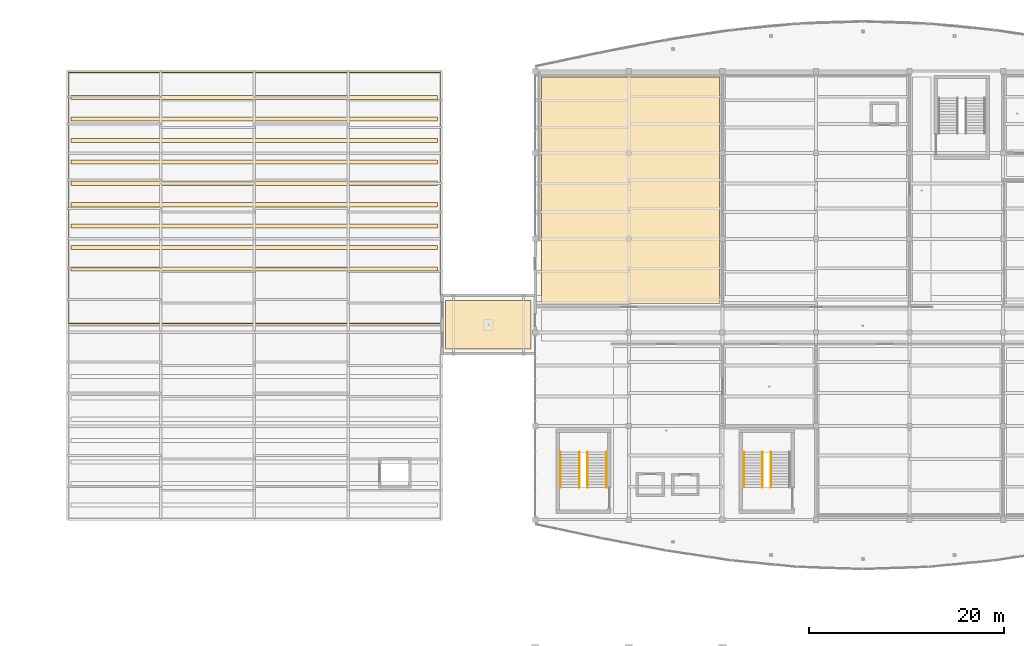
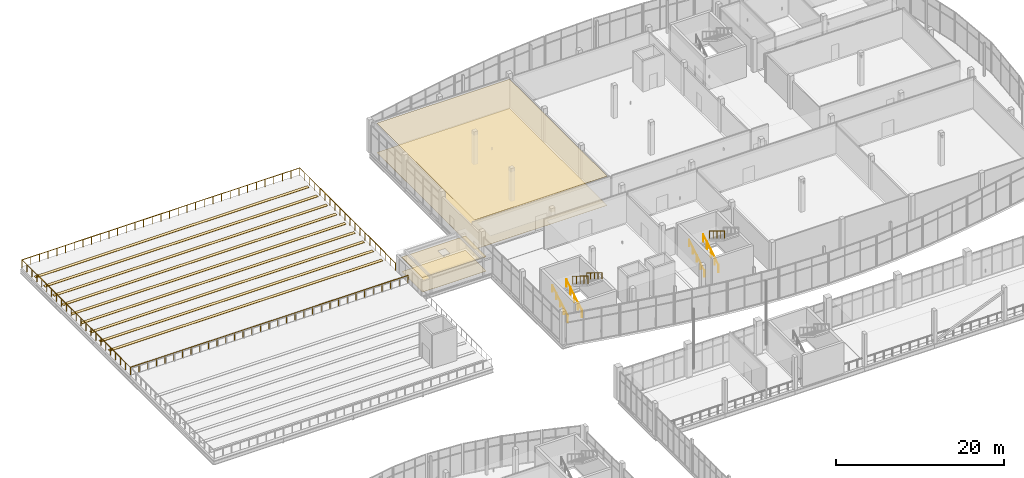
# One storey, part 154 of 157: 13 coverings, 8 railings, 2 elements without a shape of their own.
"""IFC4 building model written with IfcOpenShell, lengths in metres."""

from ifc_helpers import new_model, si_unit, direction, frame, origin, origin_2d, place, context, subcontext, project, spatial, polyline, circle, outline, extrude, material, layer, layer_set, type_object, element, aggregate, save


model = new_model("IFC4")

# Units and contexts
model_context = context("Model", 3, precision=1e-05, world=origin(), true_north=direction((0.0, 1.0)))
body_context = subcontext(model_context, "Body", "Model", "MODEL_VIEW")
ifc_project = project(units=[si_unit("LENGTHUNIT", "METRE"), si_unit("AREAUNIT", "SQUARE_METRE"), si_unit("VOLUMEUNIT", "CUBIC_METRE"), si_unit("PLANEANGLEUNIT", "RADIAN"), si_unit("MASSUNIT", "GRAM", prefix="KILO")], contexts=[model_context])

# Site, building, storey
site_placement = place(None, origin())
site = spatial("IfcSite", under=ifc_project, at=site_placement, CompositionType="ELEMENT")
building_placement = place(site_placement, origin())
building = spatial("IfcBuilding", under=site, at=building_placement, Name="Chalmorin Arch Market", CompositionType="ELEMENT")
storey_placement = place(building_placement, frame((0.0, 0.0, 4.800048828125)))
storey = spatial("IfcBuildingStorey", under=building, at=storey_placement, Name="L01", CompositionType="ELEMENT", Elevation=4.800048828125)

# Coverings
ifc_material_1 = material(Name="Mineral Fibre Acoustic Tile")
ifc_layer_1 = layer(ifc_material_1, 0.044921875)
ifc_layer_set_1 = layer_set([ifc_layer_1], Name="Mineral Fibre Acoustic Tile")
covering_type_1 = type_object("IfcCoveringType", Name="AcousticBaffleCeiling-45", PredefinedType="CEILING", material=ifc_layer_set_1)
covering_1_placement = place(storey_placement, frame((0.0, 0.0, 2.0849609375)))
element("IfcCovering", 1, at=covering_1_placement, inside=storey, type_object=covering_type_1, Name="CLG-01-182", PredefinedType="CEILING", context=body_context, shape_type="SweptSolid", body=[
    extrude(outline(polyline([(38.820068359375, 89.52001953125), (47.580078125, 89.52001953125), (47.580078125, 94.47998046875), (38.820068359375, 94.47998046875), (38.820068359375, 89.52001953125)])), origin(), (0.0, 0.0, 1.0), 0.044921875),
])
ifc_material_2 = material(Name="Epoxy Resin Flooring")
ifc_layer_2 = layer(ifc_material_2, 0.02001953125)
ifc_layer_set_2 = layer_set([ifc_layer_2], Name="Epoxy Resin Flooring")
covering_type_2 = type_object("IfcCoveringType", Name="EpoxySlipResistantKitchenFloor-20", PredefinedType="FLOORING", material=ifc_layer_set_2)
covering_2_placement = place(storey_placement, origin())
element("IfcCovering", 2, at=covering_2_placement, inside=storey, type_object=covering_type_2, Name="FLR-02-185", PredefinedType="FLOORING", context=body_context, shape_type="SweptSolid", body=[
    extrude(outline(polyline([(48.6201171875, 94.1201171875), (66.8798828125, 94.1201171875), (66.8798828125, 117.3798828125), (48.6201171875, 117.3798828125), (48.6201171875, 94.1201171875)])), origin(), (0.0, 0.0, 1.0), 0.02001953125),
])
ifc_material_3 = material(Name="Powder-coated Aluminium Panel", Category="aluminium")
ifc_layer_3 = layer(ifc_material_3, 0.034912109375)
ifc_layer_set_3 = layer_set([ifc_layer_3], Name="Powder-coated Aluminium Panel")
covering_type_3 = type_object("IfcCoveringType", Name="HygienicWashableKitchenCeiling-35", PredefinedType="CEILING", material=ifc_layer_set_3)
covering_3_placement = place(storey_placement, frame((0.0, 0.0, 4.244873046875)))
element("IfcCovering", 3, at=covering_3_placement, inside=storey, type_object=covering_type_3, Name="CLG-02-186", PredefinedType="CEILING", context=body_context, shape_type="SweptSolid", body=[
    extrude(outline(polyline([(48.6201171875, 94.1201171875), (66.8798828125, 94.1201171875), (66.8798828125, 117.3798828125), (48.6201171875, 117.3798828125), (48.6201171875, 94.1201171875)])), origin(), (0.0, 0.0, 1.0), 0.03515625),
])

# Stair, railings
ifc_material_4 = material(Name="Concrete C40/50", Category="concrete")
stair_type_1 = type_object("IfcStairType", Name="DoglegExitStair-28R-SC5", PredefinedType="HALF_TURN_STAIR", material=ifc_material_4)
stair_1_placement = place(storey_placement, origin())
stair_1 = element("IfcStair", 4, at=stair_1_placement, inside=storey, type_object=stair_type_1, Name="ST-13", PredefinedType="HALF_TURN_STAIR")
ifc_material_5 = material(Name="Stainless Steel 316", Category="steel")
ifc_layer_4 = layer(ifc_material_5, 0.048095703125)
ifc_layer_set_4 = layer_set([ifc_layer_4], Name="Stainless Steel 316")
railing_type_1 = type_object("IfcRailingType", Name="StairTubeHandrail-920", PredefinedType="HANDRAIL", material=ifc_layer_set_4)
railing_1_placement = place(storey_placement, frame((50.60009765625, 75.31005859375, 0.17138671875)))
railing_1 = element("IfcRailing", 5, at=railing_1_placement, type_object=railing_type_1, Name="HR-01-054", PredefinedType="HANDRAIL", context=body_context, shape_type="SweptSolid", body=[
    extrude(circle(Radius=0.02392578125, at=origin_2d()), frame((0.0, 0.0, 0.89599609375), z_axis=(0.0, 0.852850264322, 0.5221555579), x_axis=(-1.0, 0.0, 0.0)), (0.0, 0.0, 1.0), 4.267822265625),
    extrude(circle(Radius=0.02099609375, at=origin_2d()), origin(), (0.0, 0.0, 1.0), 0.871826171875),
    extrude(circle(Radius=0.02099609375, at=origin_2d()), frame((0.0, 0.909912109375, 0.55712890625)), (0.0, 0.0, 1.0), 0.871826171875),
    extrude(circle(Radius=0.02099609375, at=origin_2d()), frame((0.0, 1.81982421875, 1.1142578125)), (0.0, 0.0, 1.0), 0.871826171875),
    extrude(circle(Radius=0.02099609375, at=origin_2d()), frame((0.0, 2.72998046875, 1.67138671875)), (0.0, 0.0, 1.0), 0.871826171875),
    extrude(circle(Radius=0.02099609375, at=origin_2d()), frame((0.0, 3.639892578125, 2.228515625)), (0.0, 0.0, 1.0), 0.871826171875),
])
railing_2_placement = place(storey_placement, frame((55.300048828125, 78.949951171875, 2.5712890625)))
railing_2 = element("IfcRailing", 6, at=railing_2_placement, type_object=railing_type_1, Name="HR-01-057", PredefinedType="HANDRAIL", context=body_context, shape_type="SweptSolid", body=[
    extrude(circle(Radius=0.02392578125, at=origin_2d()), frame((0.0, 0.0, 0.89599609375), z_axis=(0.0, -0.852824790078, 0.522197163366), x_axis=(1.0, 0.0, 0.0)), (0.0, 0.0, 1.0), 4.26806640625),
    extrude(circle(Radius=0.02099609375, at=origin_2d()), origin(), (0.0, 0.0, 1.0), 0.871826171875),
    extrude(circle(Radius=0.02099609375, at=origin_2d()), frame((0.0, -0.909912109375, 0.55712890625)), (0.0, 0.0, 1.0), 0.871826171875),
    extrude(circle(Radius=0.02099609375, at=origin_2d()), frame((0.0, -1.81982421875, 1.1142578125)), (0.0, 0.0, 1.0), 0.871826171875),
    extrude(circle(Radius=0.02099609375, at=origin_2d()), frame((0.0, -2.72998046875, 1.671630859375)), (0.0, 0.0, 1.0), 0.871826171875),
    extrude(circle(Radius=0.02099609375, at=origin_2d()), frame((0.0, -3.639892578125, 2.228759765625)), (0.0, 0.0, 1.0), 0.871826171875),
])

# Stair, railing
stair_type_2 = type_object("IfcStairType", Name="DoglegExitStair-28R-SC7", PredefinedType="HALF_TURN_STAIR", material=ifc_material_4)
stair_2_placement = place(storey_placement, origin())
stair_2 = element("IfcStair", 7, at=stair_2_placement, inside=storey, type_object=stair_type_2, Name="ST-21", PredefinedType="HALF_TURN_STAIR")
railing_3_placement = place(storey_placement, frame((69.39990234375, 75.31005859375, 0.17138671875)))
railing_3 = element("IfcRailing", 8, at=railing_3_placement, type_object=railing_type_1, Name="HR-01-088", PredefinedType="HANDRAIL", context=body_context, shape_type="SweptSolid", body=[
    extrude(circle(Radius=0.02392578125, at=origin_2d()), frame((0.0, 0.0, 0.89599609375), z_axis=(0.0, 0.852850264322, 0.5221555579), x_axis=(-1.0, 0.0, 0.0)), (0.0, 0.0, 1.0), 4.267822265625),
    extrude(circle(Radius=0.02099609375, at=origin_2d()), origin(), (0.0, 0.0, 1.0), 0.871826171875),
    extrude(circle(Radius=0.02099609375, at=origin_2d()), frame((0.0, 0.909912109375, 0.55712890625)), (0.0, 0.0, 1.0), 0.871826171875),
    extrude(circle(Radius=0.02099609375, at=origin_2d()), frame((0.0, 1.81982421875, 1.1142578125)), (0.0, 0.0, 1.0), 0.871826171875),
    extrude(circle(Radius=0.02099609375, at=origin_2d()), frame((0.0, 2.72998046875, 1.67138671875)), (0.0, 0.0, 1.0), 0.871826171875),
    extrude(circle(Radius=0.02099609375, at=origin_2d()), frame((0.0, 3.639892578125, 2.228515625)), (0.0, 0.0, 1.0), 0.871826171875),
])

# Railing
ifc_material_6 = material(Name="Galvanised Steel", Category="steel")
ifc_layer_5 = layer(ifc_material_6, 0.054931640625)
ifc_layer_set_5 = layer_set([ifc_layer_5], Name="Galvanised Steel")
railing_type_2 = type_object("IfcRailingType", Name="StairWellGuardrail-1100", PredefinedType="GUARDRAIL", material=ifc_layer_set_5)
railing_4_placement = place(storey_placement, frame((52.530029296875, 75.31005859375, 0.17138671875)))
railing_4 = element("IfcRailing", 9, at=railing_4_placement, type_object=railing_type_2, Name="SG-01-055", PredefinedType="GUARDRAIL", context=body_context, shape_type="SweptSolid", body=[
    extrude(circle(Radius=0.02392578125, at=origin_2d()), frame((0.0, 0.0, 1.076171875), z_axis=(0.0, 0.852850264322, 0.5221555579), x_axis=(-1.0, 0.0, 0.0)), (0.0, 0.0, 1.0), 4.267822265625),
    extrude(circle(Radius=0.02099609375, at=origin_2d()), origin(), (0.0, 0.0, 1.0), 1.052001953125),
    extrude(circle(Radius=0.02099609375, at=origin_2d()), frame((0.0, 0.909912109375, 0.55712890625)), (0.0, 0.0, 1.0), 1.052001953125),
    extrude(circle(Radius=0.02099609375, at=origin_2d()), frame((0.0, 1.81982421875, 1.1142578125)), (0.0, 0.0, 1.0), 1.052001953125),
    extrude(circle(Radius=0.02099609375, at=origin_2d()), frame((0.0, 2.72998046875, 1.67138671875)), (0.0, 0.0, 1.0), 1.052001953125),
    extrude(circle(Radius=0.02099609375, at=origin_2d()), frame((0.0, 3.639892578125, 2.228515625)), (0.0, 0.0, 1.0), 1.052001953125),
])

railing_5_placement = place(storey_placement, frame((53.3701171875, 78.949951171875, 2.5712890625)))
railing_5 = element("IfcRailing", 10, at=railing_5_placement, type_object=railing_type_2, Name="SG-01-056", PredefinedType="GUARDRAIL", context=body_context, shape_type="SweptSolid", body=[
    extrude(circle(Radius=0.02392578125, at=origin_2d()), frame((0.0, 0.0, 1.076171875), z_axis=(0.0, -0.852824790078, 0.522197163366), x_axis=(1.0, 0.0, 0.0)), (0.0, 0.0, 1.0), 4.26806640625),
    extrude(circle(Radius=0.02099609375, at=origin_2d()), origin(), (0.0, 0.0, 1.0), 1.052001953125),
    extrude(circle(Radius=0.02099609375, at=origin_2d()), frame((0.0, -0.909912109375, 0.55712890625)), (0.0, 0.0, 1.0), 1.052001953125),
    extrude(circle(Radius=0.02099609375, at=origin_2d()), frame((0.0, -1.81982421875, 1.1142578125)), (0.0, 0.0, 1.0), 1.052001953125),
    extrude(circle(Radius=0.02099609375, at=origin_2d()), frame((0.0, -2.72998046875, 1.671630859375)), (0.0, 0.0, 1.0), 1.052001953125),
    extrude(circle(Radius=0.02099609375, at=origin_2d()), frame((0.0, -3.639892578125, 2.228759765625)), (0.0, 0.0, 1.0), 1.052001953125),
])

aggregate(stair_1, [railing_1, railing_4, railing_5, railing_2])

railing_6_placement = place(storey_placement, frame((71.330078125, 75.31005859375, 0.17138671875)))
railing_6 = element("IfcRailing", 11, at=railing_6_placement, type_object=railing_type_2, Name="SG-01-089", PredefinedType="GUARDRAIL", context=body_context, shape_type="SweptSolid", body=[
    extrude(circle(Radius=0.02392578125, at=origin_2d()), frame((0.0, 0.0, 1.076171875), z_axis=(0.0, 0.852850264322, 0.5221555579), x_axis=(-1.0, 0.0, 0.0)), (0.0, 0.0, 1.0), 4.267822265625),
    extrude(circle(Radius=0.02099609375, at=origin_2d()), origin(), (0.0, 0.0, 1.0), 1.052001953125),
    extrude(circle(Radius=0.02099609375, at=origin_2d()), frame((0.0, 0.909912109375, 0.55712890625)), (0.0, 0.0, 1.0), 1.052001953125),
    extrude(circle(Radius=0.02099609375, at=origin_2d()), frame((0.0, 1.81982421875, 1.1142578125)), (0.0, 0.0, 1.0), 1.052001953125),
    extrude(circle(Radius=0.02099609375, at=origin_2d()), frame((0.0, 2.72998046875, 1.67138671875)), (0.0, 0.0, 1.0), 1.052001953125),
    extrude(circle(Radius=0.02099609375, at=origin_2d()), frame((0.0, 3.639892578125, 2.228515625)), (0.0, 0.0, 1.0), 1.052001953125),
])

railing_7_placement = place(storey_placement, frame((72.169921875, 78.949951171875, 2.5712890625)))
railing_7 = element("IfcRailing", 12, at=railing_7_placement, type_object=railing_type_2, Name="SG-01-090", PredefinedType="GUARDRAIL", context=body_context, shape_type="SweptSolid", body=[
    extrude(circle(Radius=0.02392578125, at=origin_2d()), frame((0.0, 0.0, 1.076171875), z_axis=(0.0, -0.852824790078, 0.522197163366), x_axis=(1.0, 0.0, 0.0)), (0.0, 0.0, 1.0), 4.26806640625),
    extrude(circle(Radius=0.02099609375, at=origin_2d()), origin(), (0.0, 0.0, 1.0), 1.052001953125),
    extrude(circle(Radius=0.02099609375, at=origin_2d()), frame((0.0, -0.909912109375, 0.55712890625)), (0.0, 0.0, 1.0), 1.052001953125),
    extrude(circle(Radius=0.02099609375, at=origin_2d()), frame((0.0, -1.81982421875, 1.1142578125)), (0.0, 0.0, 1.0), 1.052001953125),
    extrude(circle(Radius=0.02099609375, at=origin_2d()), frame((0.0, -2.72998046875, 1.671630859375)), (0.0, 0.0, 1.0), 1.052001953125),
    extrude(circle(Radius=0.02099609375, at=origin_2d()), frame((0.0, -3.639892578125, 2.228759765625)), (0.0, 0.0, 1.0), 1.052001953125),
])

aggregate(stair_2, [railing_3, railing_6, railing_7])

ifc_layer_6 = layer(ifc_material_6, 0.06005859375)
ifc_layer_set_6 = layer_set([ifc_layer_6], Name="Galvanised Steel")
railing_type_3 = type_object("IfcRailingType", Name="TerraceMeshGuardrail-1100", PredefinedType="GUARDRAIL", material=ifc_layer_set_6)
railing_8_placement = place(storey_placement, frame((38.300048828125, 92.10009765625, 0.0)))
element("IfcRailing", 13, at=railing_8_placement, inside=storey, type_object=railing_type_3, Name="GR-012", PredefinedType="GUARDRAIL", context=body_context, shape_type="SweptSolid", body=[
    extrude(circle(Radius=0.02392578125, at=origin_2d()), frame((0.0, 0.0, 1.076171875), z_axis=(-1.0, 0.0, 0.0), x_axis=(0.0, -1.0, 0.0)), (0.0, 0.0, 1.0), 38.179931640625),
    extrude(circle(Radius=0.02392578125, at=origin_2d()), frame((-38.179931640625, 0.0, 1.076171875), z_axis=(0.0, 1.0, 0.0), x_axis=(-1.0, 0.0, 0.0)), (0.0, 0.0, 1.0), 25.77978515625),
    extrude(circle(Radius=0.02392578125, at=origin_2d()), frame((-38.179931640625, 25.77978515625, 1.076171875), z_axis=(1.0, 0.0, 0.0), x_axis=(0.0, 1.0, 0.0)), (0.0, 0.0, 1.0), 38.179931640625),
    extrude(circle(Radius=0.02392578125, at=origin_2d()), frame((0.0, 25.77978515625, 1.076171875), z_axis=(0.0, -1.0, 0.0), x_axis=(1.0, 0.0, 0.0)), (0.0, 0.0, 1.0), 22.77978515625),
    extrude(circle(Radius=0.02099609375, at=origin_2d()), origin(), (0.0, 0.0, 1.0), 1.052001953125),
    extrude(circle(Radius=0.02099609375, at=origin_2d()), frame((-1.193115234375, 0.0, 0.0)), (0.0, 0.0, 1.0), 1.052001953125),
    extrude(circle(Radius=0.02099609375, at=origin_2d()), frame((-2.38623046875, 0.0, 0.0)), (0.0, 0.0, 1.0), 1.052001953125),
    extrude(circle(Radius=0.02099609375, at=origin_2d()), frame((-3.579345703125, 0.0, 0.0)), (0.0, 0.0, 1.0), 1.052001953125),
    extrude(circle(Radius=0.02099609375, at=origin_2d()), frame((-4.7724609375, 0.0, 0.0)), (0.0, 0.0, 1.0), 1.052001953125),
    extrude(circle(Radius=0.02099609375, at=origin_2d()), frame((-5.965576171875, 0.0, 0.0)), (0.0, 0.0, 1.0), 1.052001953125),
    extrude(circle(Radius=0.02099609375, at=origin_2d()), frame((-7.15869140625, 0.0, 0.0)), (0.0, 0.0, 1.0), 1.052001953125),
    extrude(circle(Radius=0.02099609375, at=origin_2d()), frame((-8.351806640625, 0.0, 0.0)), (0.0, 0.0, 1.0), 1.052001953125),
    extrude(circle(Radius=0.02099609375, at=origin_2d()), frame((-9.544921875, 0.0, 0.0)), (0.0, 0.0, 1.0), 1.052001953125),
    extrude(circle(Radius=0.02099609375, at=origin_2d()), frame((-10.738037109375, 0.0, 0.0)), (0.0, 0.0, 1.0), 1.052001953125),
    extrude(circle(Radius=0.02099609375, at=origin_2d()), frame((-11.93115234375, 0.0, 0.0)), (0.0, 0.0, 1.0), 1.052001953125),
    extrude(circle(Radius=0.02099609375, at=origin_2d()), frame((-13.124267578125, 0.0, 0.0)), (0.0, 0.0, 1.0), 1.052001953125),
    extrude(circle(Radius=0.02099609375, at=origin_2d()), frame((-14.3173828125, 0.0, 0.0)), (0.0, 0.0, 1.0), 1.052001953125),
    extrude(circle(Radius=0.02099609375, at=origin_2d()), frame((-15.510498046875, 0.0, 0.0)), (0.0, 0.0, 1.0), 1.052001953125),
    extrude(circle(Radius=0.02099609375, at=origin_2d()), frame((-16.70361328125, 0.0, 0.0)), (0.0, 0.0, 1.0), 1.052001953125),
    extrude(circle(Radius=0.02099609375, at=origin_2d()), frame((-17.896728515625, 0.0, 0.0)), (0.0, 0.0, 1.0), 1.052001953125),
    extrude(circle(Radius=0.02099609375, at=origin_2d()), frame((-19.08984375, 0.0, 0.0)), (0.0, 0.0, 1.0), 1.052001953125),
    extrude(circle(Radius=0.02099609375, at=origin_2d()), frame((-20.283203125, 0.0, 0.0)), (0.0, 0.0, 1.0), 1.052001953125),
    extrude(circle(Radius=0.02099609375, at=origin_2d()), frame((-21.476318359375, 0.0, 0.0)), (0.0, 0.0, 1.0), 1.052001953125),
    extrude(circle(Radius=0.02099609375, at=origin_2d()), frame((-22.66943359375, 0.0, 0.0)), (0.0, 0.0, 1.0), 1.052001953125),
    extrude(circle(Radius=0.02099609375, at=origin_2d()), frame((-23.862548828125, 0.0, 0.0)), (0.0, 0.0, 1.0), 1.052001953125),
    extrude(circle(Radius=0.02099609375, at=origin_2d()), frame((-25.0556640625, 0.0, 0.0)), (0.0, 0.0, 1.0), 1.052001953125),
    extrude(circle(Radius=0.02099609375, at=origin_2d()), frame((-26.248779296875, 0.0, 0.0)), (0.0, 0.0, 1.0), 1.052001953125),
    extrude(circle(Radius=0.02099609375, at=origin_2d()), frame((-27.44189453125, 0.0, 0.0)), (0.0, 0.0, 1.0), 1.052001953125),
    extrude(circle(Radius=0.02099609375, at=origin_2d()), frame((-28.635009765625, 0.0, 0.0)), (0.0, 0.0, 1.0), 1.052001953125),
    extrude(circle(Radius=0.02099609375, at=origin_2d()), frame((-29.828125, 0.0, 0.0)), (0.0, 0.0, 1.0), 1.052001953125),
    extrude(circle(Radius=0.02099609375, at=origin_2d()), frame((-31.021240234375, 0.0, 0.0)), (0.0, 0.0, 1.0), 1.052001953125),
    extrude(circle(Radius=0.02099609375, at=origin_2d()), frame((-32.21435546875, 0.0, 0.0)), (0.0, 0.0, 1.0), 1.052001953125),
    extrude(circle(Radius=0.02099609375, at=origin_2d()), frame((-33.407470703125, 0.0, 0.0)), (0.0, 0.0, 1.0), 1.052001953125),
    extrude(circle(Radius=0.02099609375, at=origin_2d()), frame((-34.6005859375, 0.0, 0.0)), (0.0, 0.0, 1.0), 1.052001953125),
    extrude(circle(Radius=0.02099609375, at=origin_2d()), frame((-35.793701171875, 0.0, 0.0)), (0.0, 0.0, 1.0), 1.052001953125),
    extrude(circle(Radius=0.02099609375, at=origin_2d()), frame((-36.98681640625, 0.0, 0.0)), (0.0, 0.0, 1.0), 1.052001953125),
    extrude(circle(Radius=0.02099609375, at=origin_2d()), frame((-38.179931640625, 0.0, 0.0)), (0.0, 0.0, 1.0), 1.052001953125),
    extrude(circle(Radius=0.02099609375, at=origin_2d()), frame((-38.179931640625, 1.171875, 0.0)), (0.0, 0.0, 1.0), 1.052001953125),
    extrude(circle(Radius=0.02099609375, at=origin_2d()), frame((-38.179931640625, 2.343505859375, 0.0)), (0.0, 0.0, 1.0), 1.052001953125),
    extrude(circle(Radius=0.02099609375, at=origin_2d()), frame((-38.179931640625, 3.515380859375, 0.0)), (0.0, 0.0, 1.0), 1.052001953125),
    extrude(circle(Radius=0.02099609375, at=origin_2d()), frame((-38.179931640625, 4.687255859375, 0.0)), (0.0, 0.0, 1.0), 1.052001953125),
    extrude(circle(Radius=0.02099609375, at=origin_2d()), frame((-38.179931640625, 5.859130859375, 0.0)), (0.0, 0.0, 1.0), 1.052001953125),
    extrude(circle(Radius=0.02099609375, at=origin_2d()), frame((-38.179931640625, 7.03076171875, 0.0)), (0.0, 0.0, 1.0), 1.052001953125),
    extrude(circle(Radius=0.02099609375, at=origin_2d()), frame((-38.179931640625, 8.20263671875, 0.0)), (0.0, 0.0, 1.0), 1.052001953125),
    extrude(circle(Radius=0.02099609375, at=origin_2d()), frame((-38.179931640625, 9.37451171875, 0.0)), (0.0, 0.0, 1.0), 1.052001953125),
    extrude(circle(Radius=0.02099609375, at=origin_2d()), frame((-38.179931640625, 10.54638671875, 0.0)), (0.0, 0.0, 1.0), 1.052001953125),
    extrude(circle(Radius=0.02099609375, at=origin_2d()), frame((-38.179931640625, 11.718017578125, 0.0)), (0.0, 0.0, 1.0), 1.052001953125),
    extrude(circle(Radius=0.02099609375, at=origin_2d()), frame((-38.179931640625, 12.889892578125, 0.0)), (0.0, 0.0, 1.0), 1.052001953125),
    extrude(circle(Radius=0.02099609375, at=origin_2d()), frame((-38.179931640625, 14.061767578125, 0.0)), (0.0, 0.0, 1.0), 1.052001953125),
    extrude(circle(Radius=0.02099609375, at=origin_2d()), frame((-38.179931640625, 15.2333984375, 0.0)), (0.0, 0.0, 1.0), 1.052001953125),
    extrude(circle(Radius=0.02099609375, at=origin_2d()), frame((-38.179931640625, 16.4052734375, 0.0)), (0.0, 0.0, 1.0), 1.052001953125),
    extrude(circle(Radius=0.02099609375, at=origin_2d()), frame((-38.179931640625, 17.5771484375, 0.0)), (0.0, 0.0, 1.0), 1.052001953125),
    extrude(circle(Radius=0.02099609375, at=origin_2d()), frame((-38.179931640625, 18.7490234375, 0.0)), (0.0, 0.0, 1.0), 1.052001953125),
    extrude(circle(Radius=0.02099609375, at=origin_2d()), frame((-38.179931640625, 19.920654296875, 0.0)), (0.0, 0.0, 1.0), 1.052001953125),
    extrude(circle(Radius=0.02099609375, at=origin_2d()), frame((-38.179931640625, 21.092529296875, 0.0)), (0.0, 0.0, 1.0), 1.052001953125),
    extrude(circle(Radius=0.02099609375, at=origin_2d()), frame((-38.179931640625, 22.264404296875, 0.0)), (0.0, 0.0, 1.0), 1.052001953125),
    extrude(circle(Radius=0.02099609375, at=origin_2d()), frame((-38.179931640625, 23.436279296875, 0.0)), (0.0, 0.0, 1.0), 1.052001953125),
    extrude(circle(Radius=0.02099609375, at=origin_2d()), frame((-38.179931640625, 24.60791015625, 0.0)), (0.0, 0.0, 1.0), 1.052001953125),
    extrude(circle(Radius=0.02099609375, at=origin_2d()), frame((-38.179931640625, 25.77978515625, 0.0)), (0.0, 0.0, 1.0), 1.052001953125),
    extrude(circle(Radius=0.02099609375, at=origin_2d()), frame((-36.98681640625, 25.77978515625, 0.0)), (0.0, 0.0, 1.0), 1.052001953125),
    extrude(circle(Radius=0.02099609375, at=origin_2d()), frame((-35.793701171875, 25.77978515625, 0.0)), (0.0, 0.0, 1.0), 1.052001953125),
    extrude(circle(Radius=0.02099609375, at=origin_2d()), frame((-34.6005859375, 25.77978515625, 0.0)), (0.0, 0.0, 1.0), 1.052001953125),
    extrude(circle(Radius=0.02099609375, at=origin_2d()), frame((-33.407470703125, 25.77978515625, 0.0)), (0.0, 0.0, 1.0), 1.052001953125),
    extrude(circle(Radius=0.02099609375, at=origin_2d()), frame((-32.21435546875, 25.77978515625, 0.0)), (0.0, 0.0, 1.0), 1.052001953125),
    extrude(circle(Radius=0.02099609375, at=origin_2d()), frame((-31.021240234375, 25.77978515625, 0.0)), (0.0, 0.0, 1.0), 1.052001953125),
    extrude(circle(Radius=0.02099609375, at=origin_2d()), frame((-29.828125, 25.77978515625, 0.0)), (0.0, 0.0, 1.0), 1.052001953125),
    extrude(circle(Radius=0.02099609375, at=origin_2d()), frame((-28.635009765625, 25.77978515625, 0.0)), (0.0, 0.0, 1.0), 1.052001953125),
    extrude(circle(Radius=0.02099609375, at=origin_2d()), frame((-27.44189453125, 25.77978515625, 0.0)), (0.0, 0.0, 1.0), 1.052001953125),
    extrude(circle(Radius=0.02099609375, at=origin_2d()), frame((-26.248779296875, 25.77978515625, 0.0)), (0.0, 0.0, 1.0), 1.052001953125),
    extrude(circle(Radius=0.02099609375, at=origin_2d()), frame((-25.0556640625, 25.77978515625, 0.0)), (0.0, 0.0, 1.0), 1.052001953125),
    extrude(circle(Radius=0.02099609375, at=origin_2d()), frame((-23.862548828125, 25.77978515625, 0.0)), (0.0, 0.0, 1.0), 1.052001953125),
    extrude(circle(Radius=0.02099609375, at=origin_2d()), frame((-22.66943359375, 25.77978515625, 0.0)), (0.0, 0.0, 1.0), 1.052001953125),
    extrude(circle(Radius=0.02099609375, at=origin_2d()), frame((-21.476318359375, 25.77978515625, 0.0)), (0.0, 0.0, 1.0), 1.052001953125),
    extrude(circle(Radius=0.02099609375, at=origin_2d()), frame((-20.283203125, 25.77978515625, 0.0)), (0.0, 0.0, 1.0), 1.052001953125),
    extrude(circle(Radius=0.02099609375, at=origin_2d()), frame((-19.08984375, 25.77978515625, 0.0)), (0.0, 0.0, 1.0), 1.052001953125),
    extrude(circle(Radius=0.02099609375, at=origin_2d()), frame((-17.896728515625, 25.77978515625, 0.0)), (0.0, 0.0, 1.0), 1.052001953125),
    extrude(circle(Radius=0.02099609375, at=origin_2d()), frame((-16.70361328125, 25.77978515625, 0.0)), (0.0, 0.0, 1.0), 1.052001953125),
    extrude(circle(Radius=0.02099609375, at=origin_2d()), frame((-15.510498046875, 25.77978515625, 0.0)), (0.0, 0.0, 1.0), 1.052001953125),
    extrude(circle(Radius=0.02099609375, at=origin_2d()), frame((-14.3173828125, 25.77978515625, 0.0)), (0.0, 0.0, 1.0), 1.052001953125),
    extrude(circle(Radius=0.02099609375, at=origin_2d()), frame((-13.124267578125, 25.77978515625, 0.0)), (0.0, 0.0, 1.0), 1.052001953125),
    extrude(circle(Radius=0.02099609375, at=origin_2d()), frame((-11.93115234375, 25.77978515625, 0.0)), (0.0, 0.0, 1.0), 1.052001953125),
    extrude(circle(Radius=0.02099609375, at=origin_2d()), frame((-10.738037109375, 25.77978515625, 0.0)), (0.0, 0.0, 1.0), 1.052001953125),
    extrude(circle(Radius=0.02099609375, at=origin_2d()), frame((-9.544921875, 25.77978515625, 0.0)), (0.0, 0.0, 1.0), 1.052001953125),
    extrude(circle(Radius=0.02099609375, at=origin_2d()), frame((-8.351806640625, 25.77978515625, 0.0)), (0.0, 0.0, 1.0), 1.052001953125),
    extrude(circle(Radius=0.02099609375, at=origin_2d()), frame((-7.15869140625, 25.77978515625, 0.0)), (0.0, 0.0, 1.0), 1.052001953125),
    extrude(circle(Radius=0.02099609375, at=origin_2d()), frame((-5.965576171875, 25.77978515625, 0.0)), (0.0, 0.0, 1.0), 1.052001953125),
    extrude(circle(Radius=0.02099609375, at=origin_2d()), frame((-4.7724609375, 25.77978515625, 0.0)), (0.0, 0.0, 1.0), 1.052001953125),
    extrude(circle(Radius=0.02099609375, at=origin_2d()), frame((-3.579345703125, 25.77978515625, 0.0)), (0.0, 0.0, 1.0), 1.052001953125),
    extrude(circle(Radius=0.02099609375, at=origin_2d()), frame((-2.38623046875, 25.77978515625, 0.0)), (0.0, 0.0, 1.0), 1.052001953125),
    extrude(circle(Radius=0.02099609375, at=origin_2d()), frame((-1.193115234375, 25.77978515625, 0.0)), (0.0, 0.0, 1.0), 1.052001953125),
    extrude(circle(Radius=0.02099609375, at=origin_2d()), frame((0.0, 25.77978515625, 0.0)), (0.0, 0.0, 1.0), 1.052001953125),
    extrude(circle(Radius=0.02099609375, at=origin_2d()), frame((0.0, 24.580810546875, 0.0)), (0.0, 0.0, 1.0), 1.052001953125),
    extrude(circle(Radius=0.02099609375, at=origin_2d()), frame((0.0, 23.3818359375, 0.0)), (0.0, 0.0, 1.0), 1.052001953125),
    extrude(circle(Radius=0.02099609375, at=origin_2d()), frame((0.0, 22.182861328125, 0.0)), (0.0, 0.0, 1.0), 1.052001953125),
    extrude(circle(Radius=0.02099609375, at=origin_2d()), frame((0.0, 20.984130859375, 0.0)), (0.0, 0.0, 1.0), 1.052001953125),
    extrude(circle(Radius=0.02099609375, at=origin_2d()), frame((0.0, 19.78515625, 0.0)), (0.0, 0.0, 1.0), 1.052001953125),
    extrude(circle(Radius=0.02099609375, at=origin_2d()), frame((0.0, 18.586181640625, 0.0)), (0.0, 0.0, 1.0), 1.052001953125),
    extrude(circle(Radius=0.02099609375, at=origin_2d()), frame((0.0, 17.38720703125, 0.0)), (0.0, 0.0, 1.0), 1.052001953125),
    extrude(circle(Radius=0.02099609375, at=origin_2d()), frame((0.0, 16.188232421875, 0.0)), (0.0, 0.0, 1.0), 1.052001953125),
    extrude(circle(Radius=0.02099609375, at=origin_2d()), frame((0.0, 14.9892578125, 0.0)), (0.0, 0.0, 1.0), 1.052001953125),
    extrude(circle(Radius=0.02099609375, at=origin_2d()), frame((0.0, 13.79052734375, 0.0)), (0.0, 0.0, 1.0), 1.052001953125),
    extrude(circle(Radius=0.02099609375, at=origin_2d()), frame((0.0, 12.591552734375, 0.0)), (0.0, 0.0, 1.0), 1.052001953125),
    extrude(circle(Radius=0.02099609375, at=origin_2d()), frame((0.0, 11.392578125, 0.0)), (0.0, 0.0, 1.0), 1.052001953125),
    extrude(circle(Radius=0.02099609375, at=origin_2d()), frame((0.0, 10.193603515625, 0.0)), (0.0, 0.0, 1.0), 1.052001953125),
    extrude(circle(Radius=0.02099609375, at=origin_2d()), frame((0.0, 8.99462890625, 0.0)), (0.0, 0.0, 1.0), 1.052001953125),
    extrude(circle(Radius=0.02099609375, at=origin_2d()), frame((0.0, 7.795654296875, 0.0)), (0.0, 0.0, 1.0), 1.052001953125),
    extrude(circle(Radius=0.02099609375, at=origin_2d()), frame((0.0, 6.596923828125, 0.0)), (0.0, 0.0, 1.0), 1.052001953125),
    extrude(circle(Radius=0.02099609375, at=origin_2d()), frame((0.0, 5.39794921875, 0.0)), (0.0, 0.0, 1.0), 1.052001953125),
    extrude(circle(Radius=0.02099609375, at=origin_2d()), frame((0.0, 4.198974609375, 0.0)), (0.0, 0.0, 1.0), 1.052001953125),
    extrude(circle(Radius=0.02099609375, at=origin_2d()), frame((0.0, 3.0, 0.0)), (0.0, 0.0, 1.0), 1.052001953125),
])

# Coverings
ifc_material_7 = material(Name="Polished Terrazzo")
ifc_layer_7 = layer(ifc_material_7, 0.02490234375)
ifc_layer_set_7 = layer_set([ifc_layer_7], Name="Polished Terrazzo")
covering_type_4 = type_object("IfcCoveringType", Name="TerrazzoMarketFloorFinish-25", PredefinedType="FLOORING", material=ifc_layer_set_7)
covering_4_placement = place(storey_placement, origin())
element("IfcCovering", 14, at=covering_4_placement, inside=storey, type_object=covering_type_4, Name="FLR-01-181", PredefinedType="FLOORING", context=body_context, shape_type="SweptSolid", body=[
    extrude(outline(polyline([(38.820068359375, 89.52001953125), (47.580078125, 89.52001953125), (47.580078125, 94.47998046875), (38.820068359375, 94.47998046875), (38.820068359375, 89.52001953125)])), origin(), (0.0, 0.0, 1.0), 0.02490234375),
])
ifc_material_8 = material(Name="Planted Green Roof Turf")
ifc_layer_8 = layer(ifc_material_8, 0.044921875)
ifc_layer_set_8 = layer_set([ifc_layer_8], Name="Planted Green Roof Turf")
covering_type_5 = type_object("IfcCoveringType", Name="VegetatedMoundTurfStrip-45", PredefinedType="ROOFING", material=ifc_layer_set_8)
covering_5_placement = place(storey_placement, origin())
element("IfcCovering", 15, at=covering_5_placement, inside=storey, type_object=covering_type_5, Name="VMT-45-008", PredefinedType="ROOFING", context=body_context, shape_type="SweptSolid", body=[
    extrude(outline(polyline([(0.39990234375, 97.489990234375), (38.0, 97.489990234375), (38.0, 97.909912109375), (0.39990234375, 97.909912109375), (0.39990234375, 97.489990234375)])), origin(), (0.0, 0.0, 1.0), 0.044921875),
])
covering_6_placement = place(storey_placement, origin())
element("IfcCovering", 16, at=covering_6_placement, inside=storey, type_object=covering_type_5, Name="VMT-45-009", PredefinedType="ROOFING", context=body_context, shape_type="SweptSolid", body=[
    extrude(outline(polyline([(0.39990234375, 99.68994140625), (38.0, 99.68994140625), (38.0, 100.110107421875), (0.39990234375, 100.110107421875), (0.39990234375, 99.68994140625)])), origin(), (0.0, 0.0, 1.0), 0.044921875),
])
covering_7_placement = place(storey_placement, origin())
element("IfcCovering", 17, at=covering_7_placement, inside=storey, type_object=covering_type_5, Name="VMT-45-010", PredefinedType="ROOFING", context=body_context, shape_type="SweptSolid", body=[
    extrude(outline(polyline([(0.39990234375, 101.889892578125), (38.0, 101.889892578125), (38.0, 102.31005859375), (0.39990234375, 102.31005859375), (0.39990234375, 101.889892578125)])), origin(), (0.0, 0.0, 1.0), 0.044921875),
])
covering_8_placement = place(storey_placement, origin())
element("IfcCovering", 18, at=covering_8_placement, inside=storey, type_object=covering_type_5, Name="VMT-45-011", PredefinedType="ROOFING", context=body_context, shape_type="SweptSolid", body=[
    extrude(outline(polyline([(0.39990234375, 104.090087890625), (38.0, 104.090087890625), (38.0, 104.510009765625), (0.39990234375, 104.510009765625), (0.39990234375, 104.090087890625)])), origin(), (0.0, 0.0, 1.0), 0.044921875),
])
covering_9_placement = place(storey_placement, origin())
element("IfcCovering", 19, at=covering_9_placement, inside=storey, type_object=covering_type_5, Name="VMT-45-012", PredefinedType="ROOFING", context=body_context, shape_type="SweptSolid", body=[
    extrude(outline(polyline([(0.39990234375, 106.2900390625), (38.0, 106.2900390625), (38.0, 106.7099609375), (0.39990234375, 106.7099609375), (0.39990234375, 106.2900390625)])), origin(), (0.0, 0.0, 1.0), 0.044921875),
])
covering_10_placement = place(storey_placement, origin())
element("IfcCovering", 20, at=covering_10_placement, inside=storey, type_object=covering_type_5, Name="VMT-45-013", PredefinedType="ROOFING", context=body_context, shape_type="SweptSolid", body=[
    extrude(outline(polyline([(0.39990234375, 108.489990234375), (38.0, 108.489990234375), (38.0, 108.909912109375), (0.39990234375, 108.909912109375), (0.39990234375, 108.489990234375)])), origin(), (0.0, 0.0, 1.0), 0.044921875),
])
covering_11_placement = place(storey_placement, origin())
element("IfcCovering", 21, at=covering_11_placement, inside=storey, type_object=covering_type_5, Name="VMT-45-014", PredefinedType="ROOFING", context=body_context, shape_type="SweptSolid", body=[
    extrude(outline(polyline([(0.39990234375, 110.68994140625), (38.0, 110.68994140625), (38.0, 111.110107421875), (0.39990234375, 111.110107421875), (0.39990234375, 110.68994140625)])), origin(), (0.0, 0.0, 1.0), 0.044921875),
])
covering_12_placement = place(storey_placement, origin())
element("IfcCovering", 22, at=covering_12_placement, inside=storey, type_object=covering_type_5, Name="VMT-45-015", PredefinedType="ROOFING", context=body_context, shape_type="SweptSolid", body=[
    extrude(outline(polyline([(0.39990234375, 112.889892578125), (38.0, 112.889892578125), (38.0, 113.31005859375), (0.39990234375, 113.31005859375), (0.39990234375, 112.889892578125)])), origin(), (0.0, 0.0, 1.0), 0.044921875),
])
covering_13_placement = place(storey_placement, origin())
element("IfcCovering", 23, at=covering_13_placement, inside=storey, type_object=covering_type_5, Name="VMT-45-016", PredefinedType="ROOFING", context=body_context, shape_type="SweptSolid", body=[
    extrude(outline(polyline([(0.39990234375, 115.090087890625), (38.0, 115.090087890625), (38.0, 115.510009765625), (0.39990234375, 115.510009765625), (0.39990234375, 115.090087890625)])), origin(), (0.0, 0.0, 1.0), 0.044921875),
])

save(model, "model.ifc")
